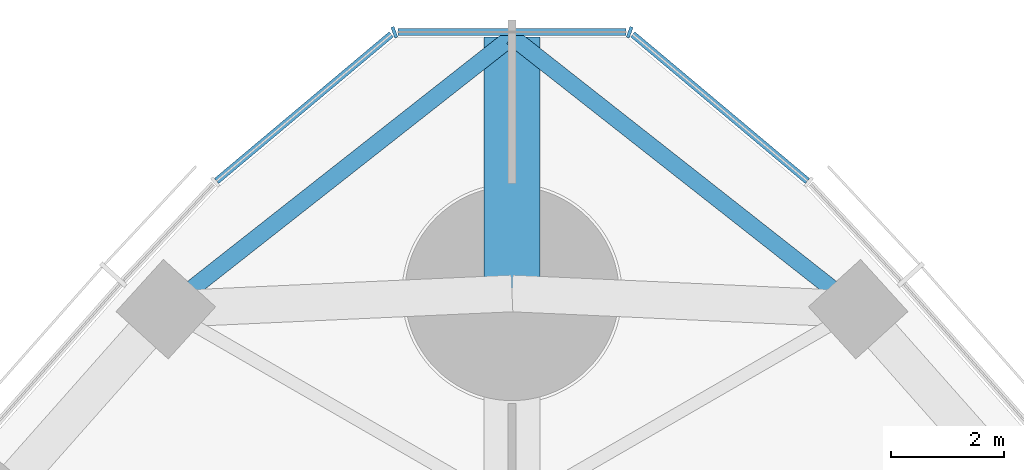
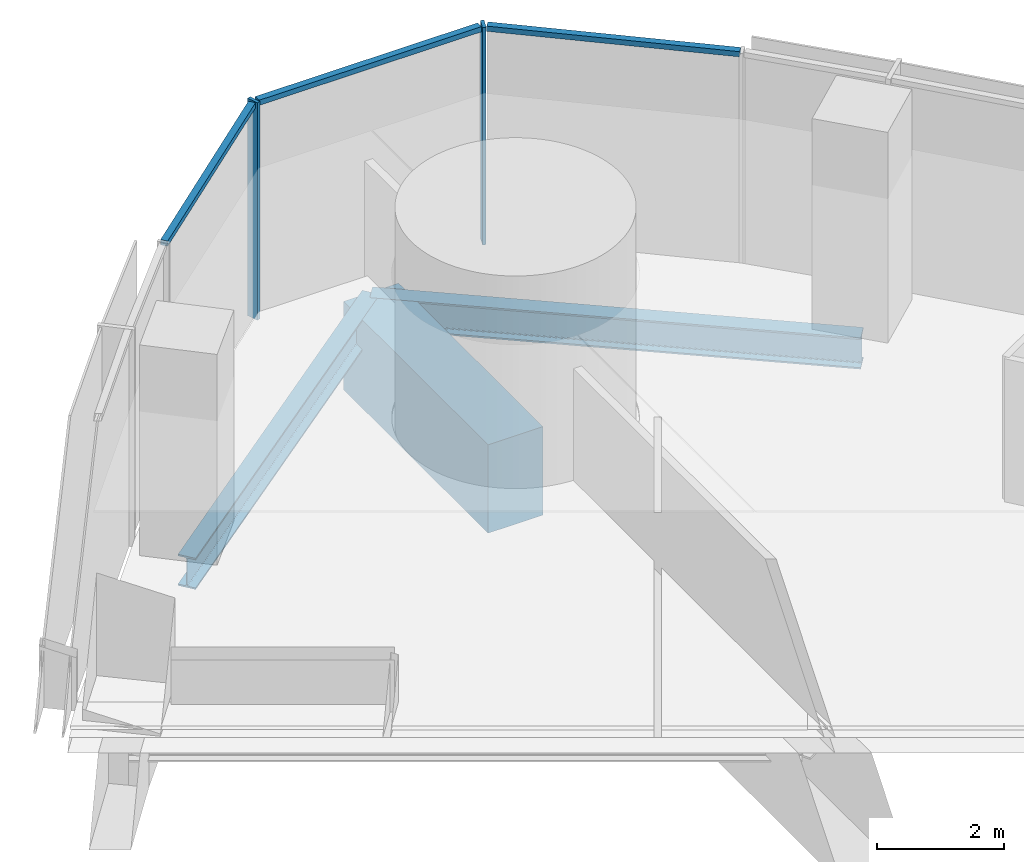
# One storey, part 9 of 21: 5 members, 3 beams, 1 element without a shape of its own.
"""IFC4 building model written with IfcOpenShell, lengths in metres."""

from ifc_helpers import new_model, si_unit, direction, frame, origin, origin_2d, place, context, subcontext, project, spatial, rectangle, i_section, extrude, material, material_profile, profile_set, type_object, element, aggregate, save


model = new_model("IFC4")

# Units and contexts
model_context = context("Model", 3, precision=1e-05, world=origin(), true_north=direction((0.0, 1.0)))
body_context = subcontext(model_context, "Body", "Model", "MODEL_VIEW")
ifc_project = project(units=[si_unit("LENGTHUNIT", "METRE"), si_unit("AREAUNIT", "SQUARE_METRE"), si_unit("VOLUMEUNIT", "CUBIC_METRE"), si_unit("PLANEANGLEUNIT", "RADIAN"), si_unit("MASSUNIT", "GRAM", prefix="KILO")], contexts=[model_context])

# Site, building, storey
site_placement = place(None, origin())
site = spatial("IfcSite", under=ifc_project, at=site_placement, CompositionType="ELEMENT")
building_placement = place(site_placement, origin())
building = spatial("IfcBuilding", under=site, at=building_placement, Name="Trefoil Bronze Tower", CompositionType="ELEMENT")
storey_placement = place(building_placement, frame((0.0, 0.0, 153.5)))
storey = spatial("IfcBuildingStorey", under=building, at=storey_placement, Name="L35", CompositionType="ELEMENT", Elevation=153.5)

# Curtain wall, members
ifc_material_1 = material(Name="Tinted solar-control glass", Category="glass")
curtain_wall_type = type_object("IfcCurtainWallType", Name="Bronze rounded corner curtain wall", PredefinedType="USERDEFINED", material=ifc_material_1)
curtain_wall_placement = place(storey_placement, origin())
curtain_wall = element("IfcCurtainWall", 1, at=curtain_wall_placement, inside=storey, type_object=curtain_wall_type, Name="CW-B L35 K2", ObjectType="CURTAIN WALL", PredefinedType="USERDEFINED")
ifc_material_2 = material(Name="Bronze-finish aluminium", Category="aluminium")
ifc_material_profile_1 = material_profile(ifc_material_2, rectangle(XDim=0.199951171875, YDim=0.06005859375, at=origin_2d()), Name="CW-B mullion")
ifc_profile_set_1 = profile_set([ifc_material_profile_1], Name="Bronze-finish aluminium")
member_type_1 = type_object("IfcMemberType", Name="Bronze rounded corner curtain wall mullion", PredefinedType="MULLION", material=ifc_profile_set_1)
member_1_placement = place(storey_placement, frame((2.08642578125, 39.631591796875, 0.0), z_axis=(0.0, 0.0, 1.0), x_axis=(-0.342020143326, -0.939692620786, 0.0)))
member_1 = element("IfcMember", 2, at=member_1_placement, type_object=member_type_1, Name="CW-B L35 K2 mullion 2", PredefinedType="MULLION", context=body_context, shape_type="SweptSolid", body=[
    extrude(rectangle(XDim=0.199951171875, YDim=0.06005859375, at=origin_2d()), origin(), (0.0, 0.0, 1.0), 4.179931640625),
])
member_2_placement = place(storey_placement, frame((-2.08642578125, 39.631591796875, 0.0), z_axis=(0.0, 0.0, 1.0), x_axis=(0.342020143326, -0.939692620786, 0.0)))
member_2 = element("IfcMember", 3, at=member_2_placement, type_object=member_type_1, Name="CW-B L35 K2 mullion 3", PredefinedType="MULLION", context=body_context, shape_type="SweptSolid", body=[
    extrude(rectangle(XDim=0.199951171875, YDim=0.06005859375, at=origin_2d()), origin(), (0.0, 0.0, 1.0), 4.179931640625),
])
ifc_material_3 = material(Name="Bronze-finish aluminium", Category="aluminium")
ifc_material_profile_2 = material_profile(ifc_material_3, rectangle(XDim=0.1201171875, YDim=0.10009765625, at=origin_2d()), Name="CW-B transom")
ifc_profile_set_2 = profile_set([ifc_material_profile_2], Name="Bronze-finish aluminium")
member_type_2 = type_object("IfcMemberType", Name="Bronze rounded corner curtain wall transom", PredefinedType="USERDEFINED", material=ifc_profile_set_2)
member_3_placement = place(storey_placement, frame((5.237548828125, 36.9951171875, 4.1298828125), z_axis=(-0.766049624684, 0.642781434487, 0.0), x_axis=(-0.642781434487, -0.766049624684, 0.0)))
member_3 = element("IfcMember", 4, at=member_3_placement, type_object=member_type_2, Name="CW-B L35 K2 transom 1", ObjectType="TRANSOM", PredefinedType="USERDEFINED", context=body_context, shape_type="SweptSolid", body=[
    extrude(rectangle(XDim=0.1201171875, YDim=0.10009765625, at=origin_2d()), origin(), (0.0, 0.0, 1.0), 4.04443359375),
])
member_4_placement = place(storey_placement, frame((2.022216796875, 39.637451171875, 4.1298828125), z_axis=(-1.0, 0.0, 0.0), x_axis=(0.0, -1.0, 0.0)))
member_4 = element("IfcMember", 5, at=member_4_placement, type_object=member_type_2, Name="CW-B L35 K2 transom 2", ObjectType="TRANSOM", PredefinedType="USERDEFINED", context=body_context, shape_type="SweptSolid", body=[
    extrude(rectangle(XDim=0.1201171875, YDim=0.10009765625, at=origin_2d()), origin(), (0.0, 0.0, 1.0), 4.04443359375),
])
member_5_placement = place(storey_placement, frame((-2.139404296875, 39.5947265625, 4.1298828125), z_axis=(-0.766049624684, -0.642781434487, 0.0), x_axis=(0.642781434487, -0.766049624684, 0.0)))
member_5 = element("IfcMember", 6, at=member_5_placement, type_object=member_type_2, Name="CW-B L35 K2 transom 3", ObjectType="TRANSOM", PredefinedType="USERDEFINED", context=body_context, shape_type="SweptSolid", body=[
    extrude(rectangle(XDim=0.1201171875, YDim=0.10009765625, at=origin_2d()), origin(), (0.0, 0.0, 1.0), 4.04443359375),
])
aggregate(curtain_wall, [member_1, member_2, member_3, member_4, member_5])

# Beams
ifc_material_4 = material(Name="Concrete B80", Category="concrete")
ifc_material_profile_3 = material_profile(ifc_material_4, rectangle(XDim=1.0, YDim=1.699951171875, at=origin_2d()), Name="RC 1000x1700")
ifc_profile_set_3 = profile_set([ifc_material_profile_3], Name="Concrete B80")
beam_type_1 = type_object("IfcBeamType", Name="Corner cantilever RC 1000x1700", PredefinedType="BEAM", material=ifc_profile_set_3)
beam_placement = place(storey_placement, frame((0.0, 35.0, -1.050048828125), z_axis=(0.0, 1.0, 0.0), x_axis=(-1.0, 0.0, 0.0)))
element("IfcBeam", 7, at=beam_placement, inside=storey, type_object=beam_type_1, Name="Corner cantilever K2 L35", PredefinedType="BEAM", context=body_context, shape_type="SweptSolid", body=[
    extrude(rectangle(XDim=1.0, YDim=1.699951171875, at=origin_2d()), origin(), (0.0, 0.0, 1.0), 4.54931640625),
])
ifc_material_5 = material(Name="Steel C355", Category="steel")
ifc_material_profile_4 = material_profile(ifc_material_5, i_section(OverallWidth=0.300048828125, OverallDepth=0.60009765625, WebThickness=0.015380859375, FlangeThickness=0.030029296875, FilletRadius=0.027099609375, at=origin_2d()), Name="HEB 600")
ifc_profile_set_4 = profile_set([ifc_material_profile_4], Name="Steel C355")
beam_type_2 = type_object("IfcBeamType", Name="Corner edge beam HEB 600", PredefinedType="BEAM", material=ifc_profile_set_4)
for number, where, z_axis, x_axis, name in (
    (8, (6.13916015625, 34.72119140625, -0.5), (-0.786038406433, 0.61817766347, 0.0), (-0.61817766347, -0.786038406433, 0.0), "Corner edge beam F2A L35"),
    (9, (-6.13916015625, 34.72119140625, -0.5), (0.786038406433, 0.61817766347, 0.0), (-0.61817766347, 0.786038406433, 0.0), "Corner edge beam F3B L35"),
):
    element("IfcBeam", number, at=place(storey_placement, frame(where, z_axis=z_axis, x_axis=x_axis)), inside=storey, type_object=beam_type_2, Name=name, PredefinedType="BEAM", context=body_context, shape_type="SweptSolid", body=[
        extrude(i_section(OverallWidth=0.300048828125, OverallDepth=0.60009765625, WebThickness=0.015380859375, FlangeThickness=0.030029296875, FilletRadius=0.027099609375, at=origin_2d()), origin(), (0.0, 0.0, 1.0), 7.810302734375),
    ])

save(model, "model.ifc")
